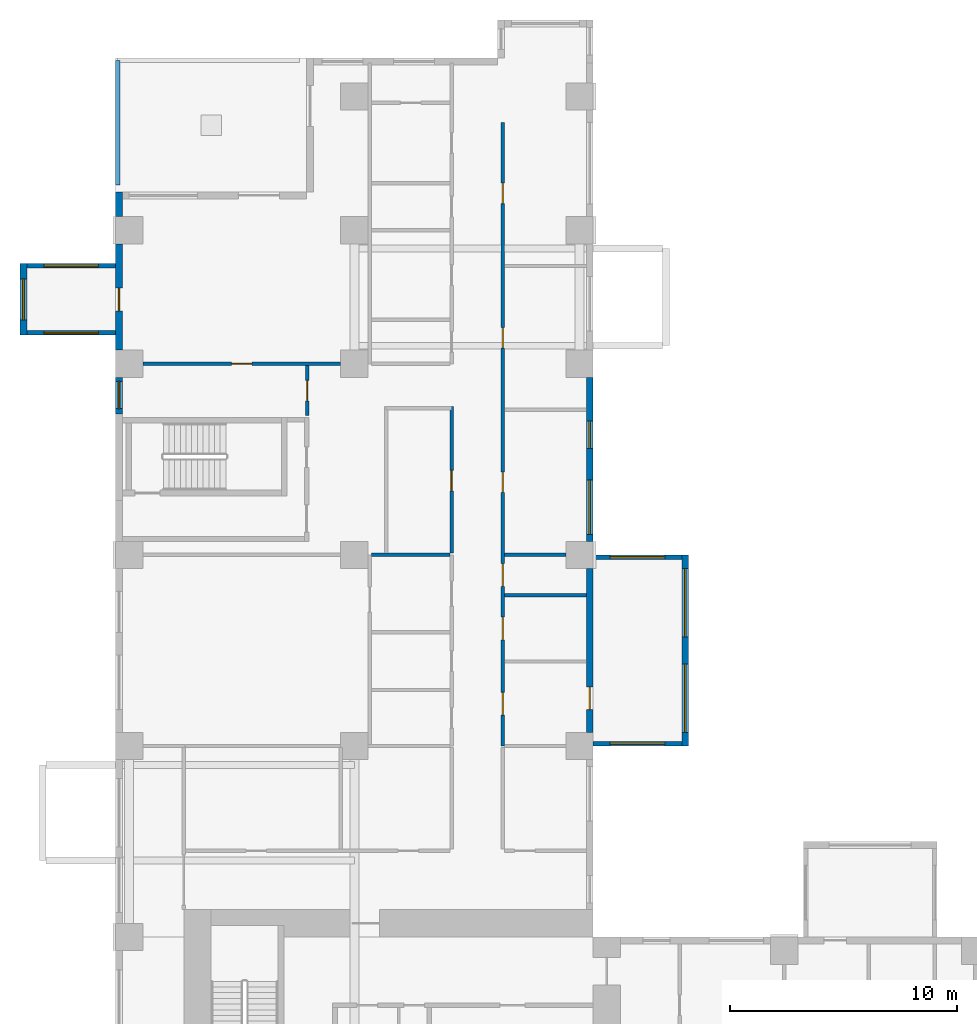
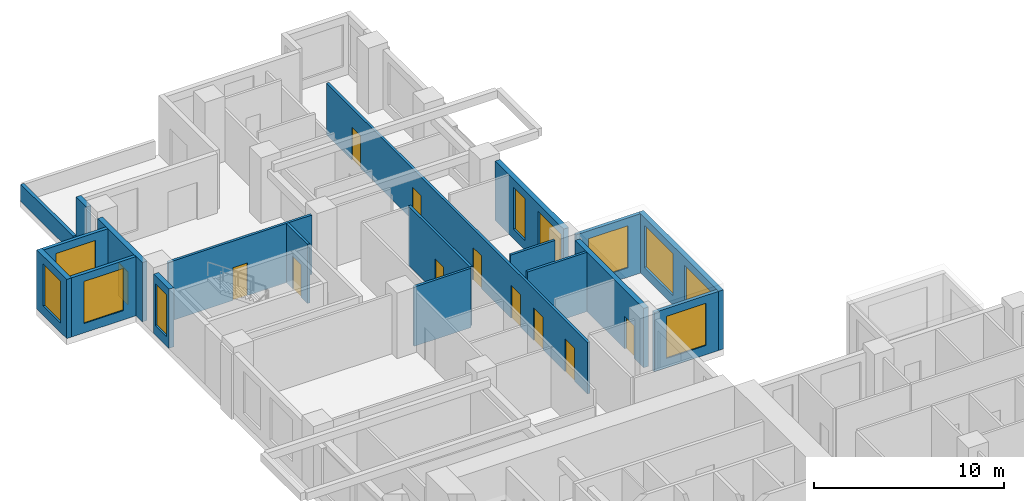
# One storey, part 7 of 15: 19 walls, 11 doors, 10 windows, 21 openings.
"""IFC4 building model written with IfcOpenShell, lengths in metres."""

from ifc_helpers import new_model, si_unit, direction, frame, frame_2d, origin, place, context, subcontext, project, spatial, rectangle, extrude, source, transform, mapped, material, layer, layer_set, type_object, element, fill, save


model = new_model("IFC4")

# Units and contexts
model_context = context("Model", 3, precision=1e-05, world=origin(), true_north=direction((0.0, 1.0)))
body_context = subcontext(model_context, "Body", "Model", "MODEL_VIEW")
ifc_project = project(units=[si_unit("LENGTHUNIT", "METRE"), si_unit("AREAUNIT", "SQUARE_METRE"), si_unit("VOLUMEUNIT", "CUBIC_METRE"), si_unit("PLANEANGLEUNIT", "RADIAN"), si_unit("MASSUNIT", "GRAM", prefix="KILO")], contexts=[model_context])

# Site, building, storey
site_placement = place(None, origin())
site = spatial("IfcSite", under=ifc_project, at=site_placement, CompositionType="ELEMENT")
building_placement = place(site_placement, origin())
building = spatial("IfcBuilding", under=site, at=building_placement, Name="Aurelian Terraces", CompositionType="ELEMENT")
storey_placement = place(building_placement, frame((0.0, 0.0, 82.5)))
storey = spatial("IfcBuildingStorey", under=building, at=storey_placement, Name="L17", CompositionType="ELEMENT", Elevation=82.5)

# Wall, opening, window
ifc_material_1 = material(Name="Concrete fc' 40 MPa", Category="concrete")
ifc_layer_1 = layer(ifc_material_1, 0.3)
ifc_layer_set_1 = layer_set([ifc_layer_1], Name="BOX BEARING WALL 300")
wall_type_1 = type_object("IfcWallType", Name="BOX BEARING WALL 300", PredefinedType="SOLIDWALL", material=ifc_layer_set_1)
wall_1_placement = place(storey_placement, frame((-4.05, 50.61, 0.0), z_axis=(0.0, 0.0, 1.0), x_axis=(0.0, -1.0, 0.0)))
wall_1 = element("IfcWall", 1, at=wall_1_placement, inside=storey, type_object=wall_type_1, Name="Box wall L17 J22", PredefinedType="SOLIDWALL", context=body_context, shape_type="SweptSolid", body=[
    extrude(rectangle(XDim=3.15, YDim=0.3, at=frame_2d((1.575, 0.0))), origin(), (0.0, 0.0, 1.0), 3.79),
])
shared_shape_1 = source(origin(), body_context, "Body", "SweptSolid", [
    extrude(rectangle(XDim=1.8, YDim=2.7, at=frame_2d((0.9, 1.35))), frame((0.0, 0.16, 0.0), z_axis=(0.0, -1.0, 0.0), x_axis=(1.0, 0.0, 0.0)), (0.0, 0.0, 1.0), 0.32),
])
opening_1_placement = place(wall_1_placement, frame((0.675, 0.0, 0.6)))
opening_1 = element("IfcOpeningElement", 2, at=opening_1_placement, cuts=wall_1, Name="Opening W1827", PredefinedType="OPENING", context=body_context, shape_type="MappedRepresentation", body=[
    mapped(shared_shape_1, transform((0.0, 0.0, 0.0), scale=1.0)),
])
ifc_material_2 = material(Name="Clear glazing", Category="glass")
window_type_1 = type_object("IfcWindowType", Name="W-1800x2700", PartitioningType="SINGLE_PANEL", PredefinedType="WINDOW", material=ifc_material_2)
shared_shape_2 = source(origin(), body_context, "Body", "SweptSolid", [
    extrude(rectangle(XDim=1.8, YDim=2.7, at=frame_2d((0.9, 1.35))), frame((0.0, 0.03, 0.0), z_axis=(0.0, -1.0, 0.0), x_axis=(1.0, 0.0, 0.0)), (0.0, 0.0, 1.0), 0.06),
])
window_1_placement = place(opening_1_placement, origin())
window_1 = element("IfcWindow", 3, at=window_1_placement, inside=storey, type_object=window_type_1, Name="Window L17 J22-F1", OverallHeight=2.7, OverallWidth=1.8, PartitioningType="SINGLE_PANEL", PredefinedType="WINDOW", context=body_context, shape_type="MappedRepresentation", body=[
    mapped(shared_shape_2, transform((0.0, 0.0, 0.0), scale=1.0)),
])
fill(opening_1, window_1)

# Wall, openings, doors
ifc_material_3 = material(Name="Gypsum board on steel studs", Category="steel")
ifc_layer_2 = layer(ifc_material_3, 0.15)
ifc_layer_set_2 = layer_set([ifc_layer_2], Name="Fire partition 150")
wall_type_2 = type_object("IfcWallType", Name="Fire partition 150", PredefinedType="PARTITIONING", material=ifc_layer_set_2)
wall_2_placement = place(storey_placement, frame((17.025, 56.82, 0.0), z_axis=(0.0, 0.0, 1.0), x_axis=(0.0, -1.0, 0.0)))
wall_2 = element("IfcWall", 4, at=wall_2_placement, inside=storey, type_object=wall_type_2, Name="Corridor wall", PredefinedType="PARTITIONING", context=body_context, shape_type="SweptSolid", body=[
    extrude(rectangle(XDim=27.42, YDim=0.15, at=frame_2d((13.71, 0.0))), origin(), (0.0, 0.0, 1.0), 3.3),
])
shared_shape_3 = source(origin(), body_context, "Body", "SweptSolid", [
    extrude(rectangle(XDim=1.0, YDim=2.1, at=frame_2d((0.5, 1.05))), frame((0.0, 0.085, 0.0), z_axis=(0.0, -1.0, 0.0), x_axis=(1.0, 0.0, 0.0)), (0.0, 0.0, 1.0), 0.17),
])
opening_2_placement = place(wall_2_placement, frame((25.0633, 0.0, 0.0)))
opening_2 = element("IfcOpeningElement", 5, at=opening_2_placement, cuts=wall_2, Name="Opening 717042", PredefinedType="OPENING", context=body_context, shape_type="MappedRepresentation", body=[
    mapped(shared_shape_3, transform((0.0, 0.0, 0.0), scale=1.0)),
])
opening_3_placement = place(wall_2_placement, frame((21.7514, 0.0, 0.0)))
opening_3 = element("IfcOpeningElement", 6, at=opening_3_placement, cuts=wall_2, Name="Opening 717043", PredefinedType="OPENING", context=body_context, shape_type="MappedRepresentation", body=[
    mapped(shared_shape_3, transform((0.0, 0.0, 0.0), scale=1.0)),
])
opening_4_placement = place(wall_2_placement, frame((19.408, 0.0, 0.0)))
opening_4 = element("IfcOpeningElement", 7, at=opening_4_placement, cuts=wall_2, Name="Opening 717044", PredefinedType="OPENING", context=body_context, shape_type="MappedRepresentation", body=[
    mapped(shared_shape_3, transform((0.0, 0.0, 0.0), scale=1.0)),
])
shared_shape_4 = source(origin(), body_context, "Body", "SweptSolid", [
    extrude(rectangle(XDim=0.9, YDim=2.1, at=frame_2d((0.45, 1.05))), frame((0.0, 0.085, 0.0), z_axis=(0.0, -1.0, 0.0), x_axis=(1.0, 0.0, 0.0)), (0.0, 0.0, 1.0), 0.17),
])
opening_5_placement = place(wall_2_placement, frame((15.375, 0.0, 0.0)))
opening_5 = element("IfcOpeningElement", 8, at=opening_5_placement, cuts=wall_2, Name="Opening 717045", PredefinedType="OPENING", context=body_context, shape_type="MappedRepresentation", body=[
    mapped(shared_shape_4, transform((0.0, 0.0, 0.0), scale=1.0)),
])
opening_6_placement = place(wall_2_placement, frame((9.0225, 0.0, 0.0)))
opening_6 = element("IfcOpeningElement", 9, at=opening_6_placement, cuts=wall_2, Name="Opening 717046", PredefinedType="OPENING", context=body_context, shape_type="MappedRepresentation", body=[
    mapped(shared_shape_4, transform((0.0, 0.0, 0.0), scale=1.0)),
])
opening_7_placement = place(wall_2_placement, frame((2.67, 0.0, 0.0)))
opening_7 = element("IfcOpeningElement", 10, at=opening_7_placement, cuts=wall_2, Name="Opening 717047", PredefinedType="OPENING", context=body_context, shape_type="MappedRepresentation", body=[
    mapped(shared_shape_4, transform((0.0, 0.0, 0.0), scale=1.0)),
])
ifc_material_4 = material(Name="Timber door leaf", Category="wood")
door_type_1 = type_object("IfcDoorType", Name="Room door 1000x2100 right", OperationType="SINGLE_SWING_RIGHT", PredefinedType="DOOR", material=ifc_material_4)
shared_shape_5 = source(origin(), body_context, "Body", "SweptSolid", [
    extrude(rectangle(XDim=1.0, YDim=2.1, at=frame_2d((0.5, 1.05))), frame((0.0, 0.025, 0.0), z_axis=(0.0, -1.0, 0.0), x_axis=(1.0, 0.0, 0.0)), (0.0, 0.0, 1.0), 0.05),
])
door_1_placement = place(opening_2_placement, origin())
door_1 = element("IfcDoor", 11, at=door_1_placement, inside=storey, type_object=door_type_1, Name="Door 717042", OperationType="SINGLE_SWING_RIGHT", OverallHeight=2.1, OverallWidth=1.0, PredefinedType="DOOR", context=body_context, shape_type="MappedRepresentation", body=[
    mapped(shared_shape_5, transform((0.0, 0.0, 0.0), scale=1.0)),
])
fill(opening_2, door_1)
door_type_2 = type_object("IfcDoorType", Name="Room door 1000x2100 left", OperationType="SINGLE_SWING_LEFT", PredefinedType="DOOR", material=ifc_material_4)
door_2_placement = place(opening_3_placement, origin())
door_2 = element("IfcDoor", 12, at=door_2_placement, inside=storey, type_object=door_type_2, Name="Door 717043", OperationType="SINGLE_SWING_LEFT", OverallHeight=2.1, OverallWidth=1.0, PredefinedType="DOOR", context=body_context, shape_type="MappedRepresentation", body=[
    mapped(shared_shape_5, transform((0.0, 0.0, 0.0), scale=1.0)),
])
fill(opening_3, door_2)
door_3_placement = place(opening_4_placement, origin())
door_3 = element("IfcDoor", 13, at=door_3_placement, inside=storey, type_object=door_type_1, Name="Door 717044", OperationType="SINGLE_SWING_RIGHT", OverallHeight=2.1, OverallWidth=1.0, PredefinedType="DOOR", context=body_context, shape_type="MappedRepresentation", body=[
    mapped(shared_shape_5, transform((0.0, 0.0, 0.0), scale=1.0)),
])
fill(opening_4, door_3)
door_type_3 = type_object("IfcDoorType", Name="Room door 900x2100 right", OperationType="SINGLE_SWING_RIGHT", PredefinedType="DOOR", material=ifc_material_4)
shared_shape_6 = source(origin(), body_context, "Body", "SweptSolid", [
    extrude(rectangle(XDim=0.9, YDim=2.1, at=frame_2d((0.45, 1.05))), frame((0.0, 0.025, 0.0), z_axis=(0.0, -1.0, 0.0), x_axis=(1.0, 0.0, 0.0)), (0.0, 0.0, 1.0), 0.05),
])
door_4_placement = place(opening_5_placement, origin())
door_4 = element("IfcDoor", 14, at=door_4_placement, inside=storey, type_object=door_type_3, Name="Door 717045", OperationType="SINGLE_SWING_RIGHT", OverallHeight=2.1, OverallWidth=0.9, PredefinedType="DOOR", context=body_context, shape_type="MappedRepresentation", body=[
    mapped(shared_shape_6, transform((0.0, 0.0, 0.0), scale=1.0)),
])
fill(opening_5, door_4)
door_type_4 = type_object("IfcDoorType", Name="Room door 900x2100 left", OperationType="SINGLE_SWING_LEFT", PredefinedType="DOOR", material=ifc_material_4)
door_5_placement = place(opening_6_placement, origin())
door_5 = element("IfcDoor", 15, at=door_5_placement, inside=storey, type_object=door_type_4, Name="Door 717046", OperationType="SINGLE_SWING_LEFT", OverallHeight=2.1, OverallWidth=0.9, PredefinedType="DOOR", context=body_context, shape_type="MappedRepresentation", body=[
    mapped(shared_shape_6, transform((0.0, 0.0, 0.0), scale=1.0)),
])
fill(opening_6, door_5)
door_6_placement = place(opening_7_placement, origin())
door_6 = element("IfcDoor", 16, at=door_6_placement, inside=storey, type_object=door_type_3, Name="Door 717047", OperationType="SINGLE_SWING_RIGHT", OverallHeight=2.1, OverallWidth=0.9, PredefinedType="DOOR", context=body_context, shape_type="MappedRepresentation", body=[
    mapped(shared_shape_6, transform((0.0, 0.0, 0.0), scale=1.0)),
])
fill(opening_7, door_6)

# Wall, opening, door
ifc_material_5 = material(Name="Terracotta rainscreen cladding", Category="masonry")
ifc_layer_3 = layer(ifc_material_5, 0.3)
ifc_layer_set_3 = layer_set([ifc_layer_3], Name="EW-300")
wall_type_3 = type_object("IfcWallType", Name="EW-300", PredefinedType="STANDARD", material=ifc_layer_set_3)
shared_shape_7 = source(origin(), body_context, "Body", "SweptSolid", [
    extrude(rectangle(XDim=7.2, YDim=0.3, at=frame_2d((3.6, 0.0))), origin(), (0.0, 0.0, 1.0), 3.8),
])
wall_3_placement = place(storey_placement, frame((20.85, 30.0, 0.0), z_axis=(0.0, 0.0, 1.0), x_axis=(0.0, 1.0, 0.0)))
wall_3 = element("IfcWall", 17, at=wall_3_placement, inside=storey, type_object=wall_type_3, Name="External wall L17 F08.23", PredefinedType="STANDARD", context=body_context, shape_type="MappedRepresentation", body=[
    mapped(shared_shape_7, transform((0.0, 0.0, 0.0), scale=1.0)),
])
shared_shape_8 = source(origin(), body_context, "Body", "SweptSolid", [
    extrude(rectangle(XDim=1.0, YDim=2.1, at=frame_2d((0.5, 1.05))), frame((0.0, 0.16, 0.0), z_axis=(0.0, -1.0, 0.0), x_axis=(1.0, 0.0, 0.0)), (0.0, 0.0, 1.0), 0.32),
])
opening_8_placement = place(wall_3_placement, frame((1.0, 0.0, 0.0)))
opening_8 = element("IfcOpeningElement", 18, at=opening_8_placement, cuts=wall_3, Name="Opening 817003", PredefinedType="OPENING", context=body_context, shape_type="MappedRepresentation", body=[
    mapped(shared_shape_8, transform((0.0, 0.0, 0.0), scale=1.0)),
])
door_7_placement = place(opening_8_placement, origin())
door_7 = element("IfcDoor", 19, at=door_7_placement, inside=storey, type_object=door_type_2, Name="Door 817003", OperationType="SINGLE_SWING_LEFT", OverallHeight=2.1, OverallWidth=1.0, PredefinedType="DOOR", context=body_context, shape_type="MappedRepresentation", body=[
    mapped(shared_shape_5, transform((0.0, 0.0, 0.0), scale=1.0)),
])
fill(opening_8, door_7)

# Wall, openings, windows
wall_4_placement = place(storey_placement, frame((20.85, 38.4, 0.0), z_axis=(0.0, 0.0, 1.0), x_axis=(0.0, 1.0, 0.0)))
wall_4 = element("IfcWall", 20, at=wall_4_placement, inside=storey, type_object=wall_type_3, Name="External wall L17 F08.24", PredefinedType="STANDARD", context=body_context, shape_type="MappedRepresentation", body=[
    mapped(shared_shape_7, transform((0.0, 0.0, 0.0), scale=1.0)),
])
shared_shape_9 = source(origin(), body_context, "Body", "SweptSolid", [
    extrude(rectangle(XDim=2.4, YDim=2.7, at=frame_2d((1.2, 1.35))), frame((0.0, 0.16, 0.0), z_axis=(0.0, -1.0, 0.0), x_axis=(1.0, 0.0, 0.0)), (0.0, 0.0, 1.0), 0.32),
])
opening_9_placement = place(wall_4_placement, frame((0.3, 0.0, 0.6)))
opening_9 = element("IfcOpeningElement", 21, at=opening_9_placement, cuts=wall_4, Name="Opening W2427", PredefinedType="OPENING", context=body_context, shape_type="MappedRepresentation", body=[
    mapped(shared_shape_9, transform((0.0, 0.0, 0.0), scale=1.0)),
])
shared_shape_10 = source(origin(), body_context, "Body", "SweptSolid", [
    extrude(rectangle(XDim=1.2, YDim=2.7, at=frame_2d((0.6, 1.35))), frame((0.0, 0.16, 0.0), z_axis=(0.0, -1.0, 0.0), x_axis=(1.0, 0.0, 0.0)), (0.0, 0.0, 1.0), 0.32),
])
opening_10_placement = place(wall_4_placement, frame((4.0825, 0.0, 0.6)))
opening_10 = element("IfcOpeningElement", 22, at=opening_10_placement, cuts=wall_4, Name="Opening W1227", PredefinedType="OPENING", context=body_context, shape_type="MappedRepresentation", body=[
    mapped(shared_shape_10, transform((0.0, 0.0, 0.0), scale=1.0)),
])
window_type_2 = type_object("IfcWindowType", Name="W-2400x2700", PartitioningType="SINGLE_PANEL", PredefinedType="WINDOW", material=ifc_material_2)
shared_shape_11 = source(origin(), body_context, "Body", "SweptSolid", [
    extrude(rectangle(XDim=2.4, YDim=2.7, at=frame_2d((1.2, 1.35))), frame((0.0, 0.03, 0.0), z_axis=(0.0, -1.0, 0.0), x_axis=(1.0, 0.0, 0.0)), (0.0, 0.0, 1.0), 0.06),
])
window_2_placement = place(opening_9_placement, origin())
window_2 = element("IfcWindow", 23, at=window_2_placement, inside=storey, type_object=window_type_2, Name="Window L17 L17-F08-24-0", OverallHeight=2.7, OverallWidth=2.4, PartitioningType="SINGLE_PANEL", PredefinedType="WINDOW", context=body_context, shape_type="MappedRepresentation", body=[
    mapped(shared_shape_11, transform((0.0, 0.0, 0.0), scale=1.0)),
])
fill(opening_9, window_2)
window_type_3 = type_object("IfcWindowType", Name="W-1200x2700", PartitioningType="SINGLE_PANEL", PredefinedType="WINDOW", material=ifc_material_2)
shared_shape_12 = source(origin(), body_context, "Body", "SweptSolid", [
    extrude(rectangle(XDim=1.2, YDim=2.7, at=frame_2d((0.6, 1.35))), frame((0.0, 0.03, 0.0), z_axis=(0.0, -1.0, 0.0), x_axis=(1.0, 0.0, 0.0)), (0.0, 0.0, 1.0), 0.06),
])
window_3_placement = place(opening_10_placement, origin())
window_3 = element("IfcWindow", 24, at=window_3_placement, inside=storey, type_object=window_type_3, Name="Window L17 L17-F08-24-G0-33", OverallHeight=2.7, OverallWidth=1.2, PartitioningType="SINGLE_PANEL", PredefinedType="WINDOW", context=body_context, shape_type="MappedRepresentation", body=[
    mapped(shared_shape_12, transform((0.0, 0.0, 0.0), scale=1.0)),
])
fill(opening_10, window_3)

# Wall, opening, door
shared_shape_13 = source(origin(), body_context, "Body", "SweptSolid", [
    extrude(rectangle(XDim=4.68, YDim=0.3, at=frame_2d((2.34, 0.0))), origin(), (0.0, 0.0, 1.0), 3.8),
])
wall_5_placement = place(storey_placement, frame((0.15, 51.48, 0.0), z_axis=(0.0, 0.0, 1.0), x_axis=(0.0, -1.0, 0.0)))
wall_5 = element("IfcWall", 25, at=wall_5_placement, inside=storey, type_object=wall_type_3, Name="External wall L17 F14.33", PredefinedType="STANDARD", context=body_context, shape_type="MappedRepresentation", body=[
    mapped(shared_shape_13, transform((0.0, 0.0, 0.0), scale=1.0)),
])
opening_11_placement = place(wall_5_placement, frame((1.945, 0.0, 0.0)))
opening_11 = element("IfcOpeningElement", 26, at=opening_11_placement, cuts=wall_5, Name="Opening 817004", PredefinedType="OPENING", context=body_context, shape_type="MappedRepresentation", body=[
    mapped(shared_shape_8, transform((0.0, 0.0, 0.0), scale=1.0)),
])
door_8_placement = place(opening_11_placement, origin())
door_8 = element("IfcDoor", 27, at=door_8_placement, inside=storey, type_object=door_type_2, Name="Door 817004", OperationType="SINGLE_SWING_LEFT", OverallHeight=2.1, OverallWidth=1.0, PredefinedType="DOOR", context=body_context, shape_type="MappedRepresentation", body=[
    mapped(shared_shape_5, transform((0.0, 0.0, 0.0), scale=1.0)),
])
fill(opening_11, door_8)

# Wall, opening, window
shared_shape_14 = source(origin(), body_context, "Body", "SweptSolid", [
    extrude(rectangle(XDim=1.6, YDim=0.3, at=frame_2d((0.8, 0.0))), origin(), (0.0, 0.0, 1.0), 3.8),
])
wall_6_placement = place(storey_placement, frame((0.15, 45.6, 0.0), z_axis=(0.0, 0.0, 1.0), x_axis=(0.0, -1.0, 0.0)))
wall_6 = element("IfcWall", 28, at=wall_6_placement, inside=storey, type_object=wall_type_3, Name="External wall L17 F14.33", PredefinedType="STANDARD", context=body_context, shape_type="MappedRepresentation", body=[
    mapped(shared_shape_14, transform((0.0, 0.0, 0.0), scale=1.0)),
])
opening_12_placement = place(wall_6_placement, frame((0.165, 0.0, 0.6)))
opening_12 = element("IfcOpeningElement", 29, at=opening_12_placement, cuts=wall_6, Name="Opening W1227", PredefinedType="OPENING", context=body_context, shape_type="MappedRepresentation", body=[
    mapped(shared_shape_10, transform((0.0, 0.0, 0.0), scale=1.0)),
])
window_4_placement = place(opening_12_placement, origin())
window_4 = element("IfcWindow", 30, at=window_4_placement, inside=storey, type_object=window_type_3, Name="Window L17 L17-F14-33-2", OverallHeight=2.7, OverallWidth=1.2, PartitioningType="SINGLE_PANEL", PredefinedType="WINDOW", context=body_context, shape_type="MappedRepresentation", body=[
    mapped(shared_shape_12, transform((0.0, 0.0, 0.0), scale=1.0)),
])
fill(opening_12, window_4)

# Wall
shared_shape_15 = source(origin(), body_context, "Body", "SweptSolid", [
    extrude(rectangle(XDim=1.08, YDim=0.3, at=frame_2d((0.54, 0.0))), origin(), (0.0, 0.0, 1.0), 3.8),
])
wall_7_placement = place(storey_placement, frame((0.15, 53.76, 0.0), z_axis=(0.0, 0.0, 1.0), x_axis=(0.0, -1.0, 0.0)))
element("IfcWall", 31, at=wall_7_placement, inside=storey, type_object=wall_type_3, Name="External wall L17 F14.33", PredefinedType="STANDARD", context=body_context, shape_type="MappedRepresentation", body=[
    mapped(shared_shape_15, transform((0.0, 0.0, 0.0), scale=1.0)),
])

# Wall, opening, window
ifc_layer_4 = layer(ifc_material_1, 0.2)
ifc_layer_set_4 = layer_set([ifc_layer_4], Name="BOX BEARING WALL 200")
wall_type_4 = type_object("IfcWallType", Name="BOX BEARING WALL 200", PredefinedType="SOLIDWALL", material=ifc_layer_set_4)
shared_shape_16 = source(origin(), body_context, "Body", "SweptSolid", [
    extrude(rectangle(XDim=3.9, YDim=0.2, at=frame_2d((1.95, 0.0))), origin(), (0.0, 0.0, 1.0), 3.79),
])
wall_8_placement = place(storey_placement, frame((0.0, 50.51, 0.0), z_axis=(0.0, 0.0, 1.0), x_axis=(-1.0, 0.0, 0.0)))
wall_8 = element("IfcWall", 32, at=wall_8_placement, inside=storey, type_object=wall_type_4, Name="Box return L17 J22.1", PredefinedType="SOLIDWALL", context=body_context, shape_type="MappedRepresentation", body=[
    mapped(shared_shape_16, transform((0.0, 0.0, 0.0), scale=1.0)),
])
shared_shape_17 = source(origin(), body_context, "Body", "SweptSolid", [
    extrude(rectangle(XDim=2.4, YDim=2.7, at=frame_2d((1.2, 1.35))), frame((0.0, 0.11, 0.0), z_axis=(0.0, -1.0, 0.0), x_axis=(1.0, 0.0, 0.0)), (0.0, 0.0, 1.0), 0.22),
])
opening_13_placement = place(wall_8_placement, frame((0.75, 0.0, 0.6)))
opening_13 = element("IfcOpeningElement", 33, at=opening_13_placement, cuts=wall_8, Name="Opening W2427", PredefinedType="OPENING", context=body_context, shape_type="MappedRepresentation", body=[
    mapped(shared_shape_17, transform((0.0, 0.0, 0.0), scale=1.0)),
])
window_5_placement = place(opening_13_placement, origin())
window_5 = element("IfcWindow", 34, at=window_5_placement, inside=storey, type_object=window_type_2, Name="Window L17 J22-S1", OverallHeight=2.7, OverallWidth=2.4, PartitioningType="SINGLE_PANEL", PredefinedType="WINDOW", context=body_context, shape_type="MappedRepresentation", body=[
    mapped(shared_shape_11, transform((0.0, 0.0, 0.0), scale=1.0)),
])
fill(opening_13, window_5)

wall_9_placement = place(storey_placement, frame((0.0, 47.56, 0.0), z_axis=(0.0, 0.0, 1.0), x_axis=(-1.0, 0.0, 0.0)))
wall_9 = element("IfcWall", 35, at=wall_9_placement, inside=storey, type_object=wall_type_4, Name="Box return L17 J22.2", PredefinedType="SOLIDWALL", context=body_context, shape_type="MappedRepresentation", body=[
    mapped(shared_shape_16, transform((0.0, 0.0, 0.0), scale=1.0)),
])
opening_14_placement = place(wall_9_placement, frame((0.75, 0.0, 0.6)))
opening_14 = element("IfcOpeningElement", 36, at=opening_14_placement, cuts=wall_9, Name="Opening W2427", PredefinedType="OPENING", context=body_context, shape_type="MappedRepresentation", body=[
    mapped(shared_shape_17, transform((0.0, 0.0, 0.0), scale=1.0)),
])
window_6_placement = place(opening_14_placement, origin())
window_6 = element("IfcWindow", 37, at=window_6_placement, inside=storey, type_object=window_type_2, Name="Window L17 J22-S2", OverallHeight=2.7, OverallWidth=2.4, PartitioningType="SINGLE_PANEL", PredefinedType="WINDOW", context=body_context, shape_type="MappedRepresentation", body=[
    mapped(shared_shape_11, transform((0.0, 0.0, 0.0), scale=1.0)),
])
fill(opening_14, window_6)

shared_shape_18 = source(origin(), body_context, "Body", "SweptSolid", [
    extrude(rectangle(XDim=3.9, YDim=0.2, at=frame_2d((1.95, 0.0))), origin(), (0.0, 0.0, 1.0), 3.8),
])
wall_10_placement = place(storey_placement, frame((21.0, 29.5, 0.0), z_axis=(0.0, 0.0, 1.0), x_axis=(1.0, 0.0, 0.0)))
wall_10 = element("IfcWall", 38, at=wall_10_placement, inside=storey, type_object=wall_type_4, Name="Box return L17 J21.1", PredefinedType="SOLIDWALL", context=body_context, shape_type="MappedRepresentation", body=[
    mapped(shared_shape_18, transform((0.0, 0.0, 0.0), scale=1.0)),
])
opening_15_placement = place(wall_10_placement, frame((0.75, 0.0, 0.6)))
opening_15 = element("IfcOpeningElement", 39, at=opening_15_placement, cuts=wall_10, Name="Opening W2427", PredefinedType="OPENING", context=body_context, shape_type="MappedRepresentation", body=[
    mapped(shared_shape_17, transform((0.0, 0.0, 0.0), scale=1.0)),
])
window_7_placement = place(opening_15_placement, origin())
window_7 = element("IfcWindow", 40, at=window_7_placement, inside=storey, type_object=window_type_2, Name="Window L17 J21-S1", OverallHeight=2.7, OverallWidth=2.4, PartitioningType="SINGLE_PANEL", PredefinedType="WINDOW", context=body_context, shape_type="MappedRepresentation", body=[
    mapped(shared_shape_11, transform((0.0, 0.0, 0.0), scale=1.0)),
])
fill(opening_15, window_7)

wall_11_placement = place(storey_placement, frame((21.0, 37.7, 0.0), z_axis=(0.0, 0.0, 1.0), x_axis=(1.0, 0.0, 0.0)))
wall_11 = element("IfcWall", 41, at=wall_11_placement, inside=storey, type_object=wall_type_4, Name="Box return L17 J21.2", PredefinedType="SOLIDWALL", context=body_context, shape_type="MappedRepresentation", body=[
    mapped(shared_shape_18, transform((0.0, 0.0, 0.0), scale=1.0)),
])
opening_16_placement = place(wall_11_placement, frame((0.75, 0.0, 0.6)))
opening_16 = element("IfcOpeningElement", 42, at=opening_16_placement, cuts=wall_11, Name="Opening W2427", PredefinedType="OPENING", context=body_context, shape_type="MappedRepresentation", body=[
    mapped(shared_shape_17, transform((0.0, 0.0, 0.0), scale=1.0)),
])
window_8_placement = place(opening_16_placement, origin())
window_8 = element("IfcWindow", 43, at=window_8_placement, inside=storey, type_object=window_type_2, Name="Window L17 J21-S2", OverallHeight=2.7, OverallWidth=2.4, PartitioningType="SINGLE_PANEL", PredefinedType="WINDOW", context=body_context, shape_type="MappedRepresentation", body=[
    mapped(shared_shape_11, transform((0.0, 0.0, 0.0), scale=1.0)),
])
fill(opening_16, window_8)

# Wall, openings, windows
shared_shape_19 = source(origin(), body_context, "Body", "SweptSolid", [
    extrude(rectangle(XDim=8.4, YDim=0.3, at=frame_2d((4.2, 0.0))), origin(), (0.0, 0.0, 1.0), 3.8),
])
wall_12_placement = place(storey_placement, frame((25.05, 29.4, 0.0), z_axis=(0.0, 0.0, 1.0), x_axis=(0.0, 1.0, 0.0)))
wall_12 = element("IfcWall", 44, at=wall_12_placement, inside=storey, type_object=wall_type_1, Name="Box wall L17 J21", PredefinedType="SOLIDWALL", context=body_context, shape_type="MappedRepresentation", body=[
    mapped(shared_shape_19, transform((0.0, 0.0, 0.0), scale=1.0)),
])
shared_shape_20 = source(origin(), body_context, "Body", "SweptSolid", [
    extrude(rectangle(XDim=3.0, YDim=2.7, at=frame_2d((1.5, 1.35))), frame((0.0, 0.16, 0.0), z_axis=(0.0, -1.0, 0.0), x_axis=(1.0, 0.0, 0.0)), (0.0, 0.0, 1.0), 0.32),
])
opening_17_placement = place(wall_12_placement, frame((0.6, 0.0, 0.6)))
opening_17 = element("IfcOpeningElement", 45, at=opening_17_placement, cuts=wall_12, Name="Opening W3027", PredefinedType="OPENING", context=body_context, shape_type="MappedRepresentation", body=[
    mapped(shared_shape_20, transform((0.0, 0.0, 0.0), scale=1.0)),
])
opening_18_placement = place(wall_12_placement, frame((4.8, 0.0, 0.6)))
opening_18 = element("IfcOpeningElement", 46, at=opening_18_placement, cuts=wall_12, Name="Opening W3027", PredefinedType="OPENING", context=body_context, shape_type="MappedRepresentation", body=[
    mapped(shared_shape_20, transform((0.0, 0.0, 0.0), scale=1.0)),
])
window_type_4 = type_object("IfcWindowType", Name="W-3000x2700", PartitioningType="SINGLE_PANEL", PredefinedType="WINDOW", material=ifc_material_2)
shared_shape_21 = source(origin(), body_context, "Body", "SweptSolid", [
    extrude(rectangle(XDim=3.0, YDim=2.7, at=frame_2d((1.5, 1.35))), frame((0.0, 0.03, 0.0), z_axis=(0.0, -1.0, 0.0), x_axis=(1.0, 0.0, 0.0)), (0.0, 0.0, 1.0), 0.06),
])
window_9_placement = place(opening_17_placement, origin())
window_9 = element("IfcWindow", 47, at=window_9_placement, inside=storey, type_object=window_type_4, Name="Window L17 J21-F1", OverallHeight=2.7, OverallWidth=3.0, PartitioningType="SINGLE_PANEL", PredefinedType="WINDOW", context=body_context, shape_type="MappedRepresentation", body=[
    mapped(shared_shape_21, transform((0.0, 0.0, 0.0), scale=1.0)),
])
fill(opening_17, window_9)
window_10_placement = place(opening_18_placement, origin())
window_10 = element("IfcWindow", 48, at=window_10_placement, inside=storey, type_object=window_type_4, Name="Window L17 J21-F2", OverallHeight=2.7, OverallWidth=3.0, PartitioningType="SINGLE_PANEL", PredefinedType="WINDOW", context=body_context, shape_type="MappedRepresentation", body=[
    mapped(shared_shape_21, transform((0.0, 0.0, 0.0), scale=1.0)),
])
fill(opening_18, window_10)

# Wall
ifc_layer_5 = layer(ifc_material_5, 0.2)
ifc_layer_set_5 = layer_set([ifc_layer_5], Name="PARAPET-200")
wall_type_5 = type_object("IfcWallType", Name="PARAPET-200", PredefinedType="PARAPET", material=ifc_layer_set_5)
shared_shape_22 = source(origin(), body_context, "Body", "SweptSolid", [
    extrude(rectangle(XDim=5.49, YDim=0.2, at=frame_2d((2.745, 0.0))), origin(), (0.0, 0.0, 1.0), 1.1),
])
wall_13_placement = place(storey_placement, frame((0.09, 54.06, 0.0), z_axis=(0.0, 0.0, 1.0), x_axis=(0.0, 1.0, 0.0)))
element("IfcWall", 49, at=wall_13_placement, inside=storey, type_object=wall_type_5, Name="Parapet L17 L17-X1", PredefinedType="PARAPET", context=body_context, shape_type="MappedRepresentation", body=[
    mapped(shared_shape_22, transform((0.0, 0.0, 0.0), scale=1.0)),
])

# Wall, opening, door
shared_shape_23 = source(origin(), body_context, "Body", "SweptSolid", [
    extrude(rectangle(XDim=6.45, YDim=0.15, at=frame_2d((3.225, 0.0))), origin(), (0.0, 0.0, 1.0), 3.8),
])
wall_14_placement = place(storey_placement, frame((14.775, 37.875, 0.0), z_axis=(0.0, 0.0, 1.0), x_axis=(0.0, 1.0, 0.0)))
wall_14 = element("IfcWall", 50, at=wall_14_placement, inside=storey, type_object=wall_type_2, Name="Corridor wall", PredefinedType="PARTITIONING", context=body_context, shape_type="MappedRepresentation", body=[
    mapped(shared_shape_23, transform((0.0, 0.0, 0.0), scale=1.0)),
])
opening_19_placement = place(wall_14_placement, frame((2.7375, 0.0, 0.0)))
opening_19 = element("IfcOpeningElement", 51, at=opening_19_placement, cuts=wall_14, Name="Opening 717032", PredefinedType="OPENING", context=body_context, shape_type="MappedRepresentation", body=[
    mapped(shared_shape_4, transform((0.0, 0.0, 0.0), scale=1.0)),
])
door_9_placement = place(opening_19_placement, origin())
door_9 = element("IfcDoor", 52, at=door_9_placement, inside=storey, type_object=door_type_4, Name="Door 717032", OperationType="SINGLE_SWING_LEFT", OverallHeight=2.1, OverallWidth=0.9, PredefinedType="DOOR", context=body_context, shape_type="MappedRepresentation", body=[
    mapped(shared_shape_6, transform((0.0, 0.0, 0.0), scale=1.0)),
])
fill(opening_19, door_9)

ifc_layer_6 = layer(ifc_material_3, 0.15)
ifc_layer_set_6 = layer_set([ifc_layer_6], Name="Partition 150")
wall_type_6 = type_object("IfcWallType", Name="Partition 150", PredefinedType="PARTITIONING", material=ifc_layer_set_6)
shared_shape_24 = source(origin(), body_context, "Body", "SweptSolid", [
    extrude(rectangle(XDim=8.702, YDim=0.15, at=frame_2d((4.351, 0.0))), origin(), (0.0, 0.0, 1.0), 3.8),
])
wall_15_placement = place(storey_placement, frame((9.901, 46.2, 0.0), z_axis=(0.0, 0.0, 1.0), x_axis=(-1.0, 0.0, 0.0)))
wall_15 = element("IfcWall", 53, at=wall_15_placement, inside=storey, type_object=wall_type_6, Name="Partition", PredefinedType="PARTITIONING", context=body_context, shape_type="MappedRepresentation", body=[
    mapped(shared_shape_24, transform((0.0, 0.0, 0.0), scale=1.0)),
])
opening_20_placement = place(wall_15_placement, frame((3.901, 0.0, 0.0)))
opening_20 = element("IfcOpeningElement", 54, at=opening_20_placement, cuts=wall_15, Name="Opening 717049", PredefinedType="OPENING", context=body_context, shape_type="MappedRepresentation", body=[
    mapped(shared_shape_4, transform((0.0, 0.0, 0.0), scale=1.0)),
])
door_10_placement = place(opening_20_placement, origin())
door_10 = element("IfcDoor", 55, at=door_10_placement, inside=storey, type_object=door_type_4, Name="Door 717049", OperationType="SINGLE_SWING_LEFT", OverallHeight=2.1, OverallWidth=0.9, PredefinedType="DOOR", context=body_context, shape_type="MappedRepresentation", body=[
    mapped(shared_shape_6, transform((0.0, 0.0, 0.0), scale=1.0)),
])
fill(opening_20, door_10)

# Walls
shared_shape_25 = source(origin(), body_context, "Body", "SweptSolid", [
    extrude(rectangle(XDim=3.6, YDim=0.15, at=frame_2d((1.8, 0.0))), origin(), (0.0, 0.0, 1.0), 3.8),
])
wall_16_placement = place(storey_placement, frame((17.1, 36.024, 0.0), z_axis=(0.0, 0.0, 1.0), x_axis=(1.0, 0.0, 0.0)))
element("IfcWall", 56, at=wall_16_placement, inside=storey, type_object=wall_type_6, Name="Partition", PredefinedType="PARTITIONING", context=body_context, shape_type="MappedRepresentation", body=[
    mapped(shared_shape_25, transform((0.0, 0.0, 0.0), scale=1.0)),
])
shared_shape_26 = source(origin(), body_context, "Body", "SweptSolid", [
    extrude(rectangle(XDim=2.701, YDim=0.15, at=frame_2d((1.3505, 0.0))), origin(), (0.0, 0.0, 1.0), 3.8),
])
wall_17_placement = place(storey_placement, frame((19.801, 37.8, 0.0), z_axis=(0.0, 0.0, 1.0), x_axis=(-1.0, 0.0, 0.0)))
element("IfcWall", 57, at=wall_17_placement, inside=storey, type_object=wall_type_6, Name="Partition", PredefinedType="PARTITIONING", context=body_context, shape_type="MappedRepresentation", body=[
    mapped(shared_shape_26, transform((0.0, 0.0, 0.0), scale=1.0)),
])

# Wall, opening, door
shared_shape_27 = source(origin(), body_context, "Body", "SweptSolid", [
    extrude(rectangle(XDim=2.2, YDim=0.15, at=frame_2d((1.1, 0.0))), origin(), (0.0, 0.0, 1.0), 3.8),
])
wall_18_placement = place(storey_placement, frame((8.425, 43.925, 0.0), z_axis=(0.0, 0.0, 1.0), x_axis=(0.0, 1.0, 0.0)))
wall_18 = element("IfcWall", 58, at=wall_18_placement, inside=storey, type_object=wall_type_6, Name="Partition", PredefinedType="PARTITIONING", context=body_context, shape_type="MappedRepresentation", body=[
    mapped(shared_shape_27, transform((0.0, 0.0, 0.0), scale=1.0)),
])
opening_21_placement = place(wall_18_placement, frame((0.65, 0.0, 0.0)))
opening_21 = element("IfcOpeningElement", 59, at=opening_21_placement, cuts=wall_18, Name="Opening 717033", PredefinedType="OPENING", context=body_context, shape_type="MappedRepresentation", body=[
    mapped(shared_shape_4, transform((0.0, 0.0, 0.0), scale=1.0)),
])
door_11_placement = place(opening_21_placement, origin())
door_11 = element("IfcDoor", 60, at=door_11_placement, inside=storey, type_object=door_type_4, Name="Door 717033", OperationType="SINGLE_SWING_LEFT", OverallHeight=2.1, OverallWidth=0.9, PredefinedType="DOOR", context=body_context, shape_type="MappedRepresentation", body=[
    mapped(shared_shape_6, transform((0.0, 0.0, 0.0), scale=1.0)),
])
fill(opening_21, door_11)

# Wall
shared_shape_28 = source(origin(), body_context, "Body", "SweptSolid", [
    extrude(rectangle(XDim=3.45, YDim=0.15, at=frame_2d((1.725, 0.0))), origin(), (0.0, 0.0, 1.0), 3.8),
])
wall_19_placement = place(storey_placement, frame((14.7, 37.8, 0.0), z_axis=(0.0, 0.0, 1.0), x_axis=(-1.0, 0.0, 0.0)))
element("IfcWall", 61, at=wall_19_placement, inside=storey, type_object=wall_type_6, Name="Partition", PredefinedType="PARTITIONING", context=body_context, shape_type="MappedRepresentation", body=[
    mapped(shared_shape_28, transform((0.0, 0.0, 0.0), scale=1.0)),
])

save(model, "model.ifc")
